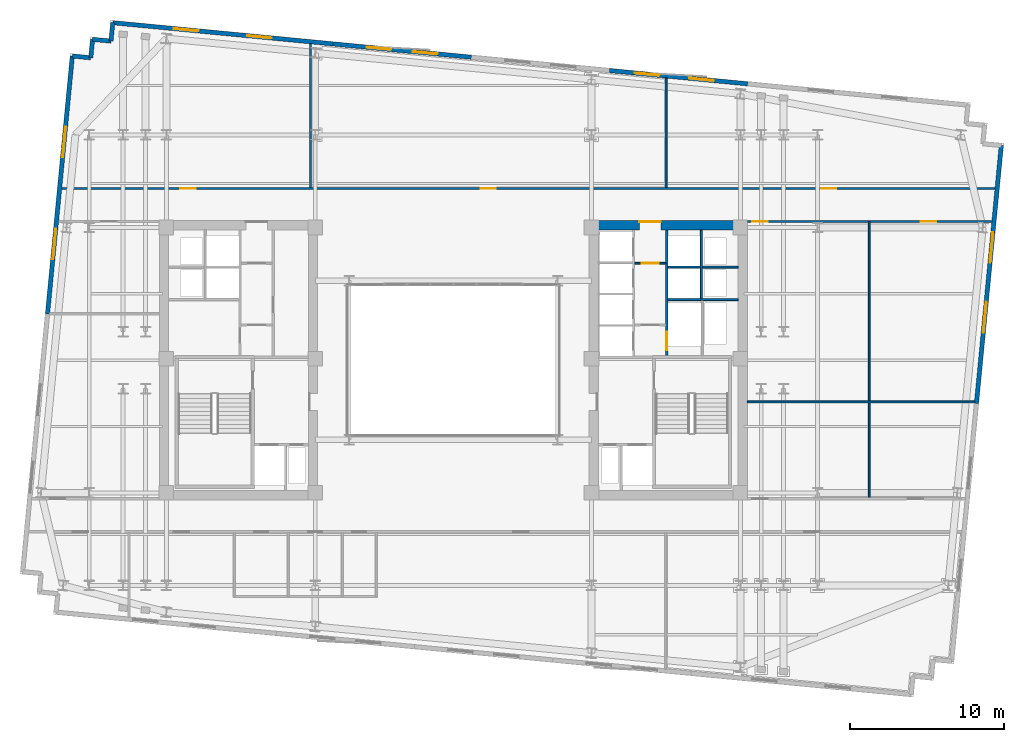
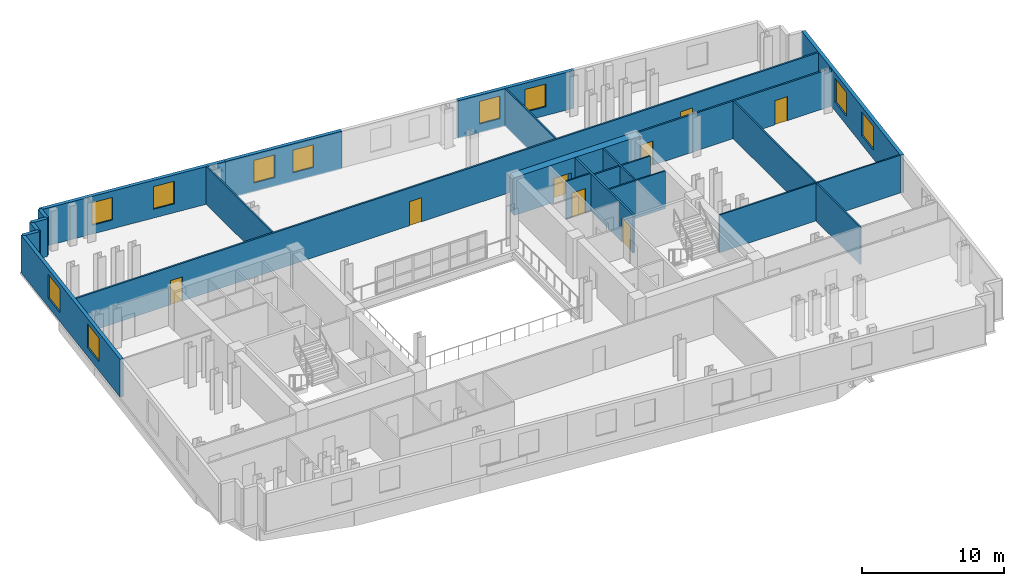
# One storey, part 7 of 11: 22 walls, 10 windows, 8 doors, 18 openings.
"""IFC4 building model written with IfcOpenShell, lengths in metres."""

from ifc_helpers import new_model, si_unit, direction, frame, frame_2d, origin, place, context, subcontext, project, spatial, rectangle, extrude, material, layer, layer_set, type_object, element, fill, save


model = new_model("IFC4")

# Units and contexts
model_context = context("Model", 3, precision=1e-05, world=origin(), true_north=direction((0.0, 1.0)))
body_context = subcontext(model_context, "Body", "Model", "MODEL_VIEW")
ifc_project = project(units=[si_unit("LENGTHUNIT", "METRE"), si_unit("AREAUNIT", "SQUARE_METRE"), si_unit("VOLUMEUNIT", "CUBIC_METRE"), si_unit("PLANEANGLEUNIT", "RADIAN"), si_unit("MASSUNIT", "GRAM", prefix="KILO")], contexts=[model_context])

# Site, building, storey
site_placement = place(None, origin())
site = spatial("IfcSite", under=ifc_project, at=site_placement, CompositionType="ELEMENT")
building_placement = place(site_placement, origin())
building = spatial("IfcBuilding", under=site, at=building_placement, Name="Velakula Bourse", CompositionType="ELEMENT")
storey_placement = place(building_placement, frame((0.0, 0.0, 160.39990234375)))
storey = spatial("IfcBuildingStorey", under=building, at=storey_placement, Name="L43", CompositionType="ELEMENT", Elevation=160.39990234375)

# Wall, opening, door
ifc_material_1 = material(Name="Concrete M70 (fck 70 MPa)", Category="concrete")
ifc_layer_1 = layer(ifc_material_1, 0.60009765625, Name="Concrete M70 (fck 70 MPa)", Category="concrete")
ifc_layer_set_1 = layer_set([ifc_layer_1], Name="Concrete M70 (fck 70 MPa)")
wall_type_1 = type_object("IfcWallType", Name="WL-CORE-600", PredefinedType="SHEAR", material=ifc_layer_set_1)
wall_1_placement = place(storey_placement, frame((8.800048828125, 8.75, 0.0), z_axis=(0.0, 0.0, 1.0), x_axis=(1.0, 0.0, 0.0)))
wall_1 = element("IfcWall", 1, at=wall_1_placement, inside=storey, type_object=wall_type_1, Name="L43 Core E Shear Wall N", PredefinedType="SHEAR", context=body_context, shape_type="SweptSolid", body=[
    extrude(rectangle(XDim=10.25, YDim=0.60009765625, at=frame_2d((5.125, 0.0))), origin(), (0.0, 0.0, 1.0), 3.27001953125),
])
opening_1_placement = place(wall_1_placement, frame((3.25, 0.0, 0.0)))
opening_1 = element("IfcOpeningElement", 2, at=opening_1_placement, cuts=wall_1, Name="Opening D-LLE", PredefinedType="OPENING", context=body_context, shape_type="SweptSolid", body=[
    extrude(rectangle(XDim=1.39990234375, YDim=2.050048828125, at=frame_2d((0.699951171875, 1.02490234375))), frame((0.0, 0.31005859375, 0.0), z_axis=(0.0, -1.0, 0.0), x_axis=(1.0, 0.0, 0.0)), (0.0, 0.0, 1.0), 0.6201171875),
])
ifc_material_2 = material(Name="Fire-rated hardwood flush architectural door", Category="wood")
door_type_1 = type_object("IfcDoorType", Name="DR-DBL-FD60-1400", OperationType="DOUBLE_DOOR_SINGLE_SWING", PredefinedType="DOOR", material=ifc_material_2)
door_1_placement = place(opening_1_placement, origin())
door_1 = element("IfcDoor", 3, at=door_1_placement, inside=storey, type_object=door_type_1, Name="L43 Core E Lift Lobby Corridor Double Door", OperationType="DOUBLE_DOOR_SINGLE_SWING", OverallHeight=2.050048828125, OverallWidth=1.39990234375, PredefinedType="DOOR", context=body_context, shape_type="SweptSolid", body=[
    extrude(rectangle(XDim=1.39990234375, YDim=2.050048828125, at=frame_2d((0.699951171875, 1.02490234375))), frame((0.0, 0.2451171875, 0.0), z_axis=(0.0, -1.0, 0.0), x_axis=(1.0, 0.0, 0.0)), (0.0, 0.0, 1.0), 0.050048828125),
])
fill(opening_1, door_1)

# Wall, openings, windows
ifc_material_3 = material(Name="Red kilned clay facing brick masonry", Category="masonry")
ifc_layer_2 = layer(ifc_material_3, 0.280029296875, Name="Red kilned clay facing brick masonry", Category="masonry")
ifc_layer_set_2 = layer_set([ifc_layer_2], Name="Red kilned clay facing brick masonry")
wall_type_2 = type_object("IfcWallType", Name="WL-EXT-BRK-280", PredefinedType="STANDARD", material=ifc_layer_set_2)
wall_2_placement = place(storey_placement, frame((-22.072509765625, 21.8701171875, 0.0), z_axis=(0.0, 0.0, 1.0), x_axis=(0.995395606285, -0.095851901334, 0.0)))
wall_2 = element("IfcWall", 4, at=wall_2_placement, inside=storey, type_object=wall_type_2, Name="L43 N Brick Spandrel Wall B1", PredefinedType="STANDARD", context=body_context, shape_type="SweptSolid", body=[
    extrude(rectangle(XDim=14.33984375, YDim=0.280029296875, at=frame_2d((7.169921875, 0.0))), origin(), (0.0, 0.0, 1.0), 3.25),
])
opening_2_placement = place(wall_2_placement, frame((3.97998046875, 0.0, 0.760009765625)))
opening_2 = element("IfcOpeningElement", 5, at=opening_2_placement, cuts=wall_2, Name="Opening W-02", PredefinedType="OPENING", context=body_context, shape_type="SweptSolid", body=[
    extrude(rectangle(XDim=1.60009765625, YDim=1.949951171875, at=frame_2d((0.800048828125, 0.97509765625))), frame((0.0, 0.14990234375, 0.0), z_axis=(0.0, -1.0, 0.0), x_axis=(1.0, 0.0, 0.0)), (0.0, 0.0, 1.0), 0.300048828125),
])
opening_3_placement = place(wall_2_placement, frame((8.760009765625, 0.0, 0.760009765625)))
opening_3 = element("IfcOpeningElement", 6, at=opening_3_placement, cuts=wall_2, Name="Opening W-02", PredefinedType="OPENING", context=body_context, shape_type="SweptSolid", body=[
    extrude(rectangle(XDim=1.60009765625, YDim=1.949951171875, at=frame_2d((0.800048828125, 0.97509765625))), frame((0.0, 0.14990234375, 0.0), z_axis=(0.0, -1.0, 0.0), x_axis=(1.0, 0.0, 0.0)), (0.0, 0.0, 1.0), 0.300048828125),
])
ifc_material_4 = material(Name="Double-glazed solar-control Low-E glass", Category="glass")
window_type_1 = type_object("IfcWindowType", Name="WIN-TWR-1600x2100", PartitioningType="SINGLE_PANEL", PredefinedType="WINDOW", material=ifc_material_4)
window_1_placement = place(opening_2_placement, origin())
window_1 = element("IfcWindow", 7, at=window_1_placement, inside=storey, type_object=window_type_1, Name="L43 Deep-Set Recessed Window 1", OverallHeight=1.949951171875, OverallWidth=1.60009765625, PartitioningType="SINGLE_PANEL", PredefinedType="WINDOW", context=body_context, shape_type="SweptSolid", body=[
    extrude(rectangle(XDim=1.60009765625, YDim=1.949951171875, at=frame_2d((0.800048828125, 0.97509765625))), frame((0.0, 0.030029296875, 0.0), z_axis=(0.0, -1.0, 0.0), x_axis=(1.0, 0.0, 0.0)), (0.0, 0.0, 1.0), 0.06005859375),
])
fill(opening_2, window_1)
window_2_placement = place(opening_3_placement, origin())
window_2 = element("IfcWindow", 8, at=window_2_placement, inside=storey, type_object=window_type_1, Name="L43 Deep-Set Recessed Window 2", OverallHeight=1.949951171875, OverallWidth=1.60009765625, PartitioningType="SINGLE_PANEL", PredefinedType="WINDOW", context=body_context, shape_type="SweptSolid", body=[
    extrude(rectangle(XDim=1.60009765625, YDim=1.949951171875, at=frame_2d((0.800048828125, 0.97509765625))), frame((0.0, 0.030029296875, 0.0), z_axis=(0.0, -1.0, 0.0), x_axis=(1.0, 0.0, 0.0)), (0.0, 0.0, 1.0), 0.06005859375),
])
fill(opening_3, window_2)

wall_3_placement = place(storey_placement, frame((-7.798583984375, 20.49560546875, 0.0), z_axis=(0.0, 0.0, 1.0), x_axis=(0.995396794462, -0.09583956164, 0.0)))
wall_3 = element("IfcWall", 9, at=wall_3_placement, inside=storey, type_object=wall_type_2, Name="L43 N Brick Spandrel Wall B2", PredefinedType="STANDARD", context=body_context, shape_type="SweptSolid", body=[
    extrude(rectangle(XDim=9.0, YDim=0.280029296875, at=frame_2d((4.5, 0.0))), origin(), (0.0, 0.0, 1.0), 3.25),
])
opening_4_placement = place(wall_3_placement, frame((2.199951171875, 0.0, 0.760009765625)))
opening_4 = element("IfcOpeningElement", 10, at=opening_4_placement, cuts=wall_3, Name="Opening W-02", PredefinedType="OPENING", context=body_context, shape_type="SweptSolid", body=[
    extrude(rectangle(XDim=1.60009765625, YDim=1.949951171875, at=frame_2d((0.800048828125, 0.97509765625))), frame((0.0, 0.14990234375, 0.0), z_axis=(0.0, -1.0, 0.0), x_axis=(1.0, 0.0, 0.0)), (0.0, 0.0, 1.0), 0.300048828125),
])
opening_5_placement = place(wall_3_placement, frame((5.199951171875, 0.0, 0.760009765625)))
opening_5 = element("IfcOpeningElement", 11, at=opening_5_placement, cuts=wall_3, Name="Opening W-02", PredefinedType="OPENING", context=body_context, shape_type="SweptSolid", body=[
    extrude(rectangle(XDim=1.60009765625, YDim=1.949951171875, at=frame_2d((0.800048828125, 0.97509765625))), frame((0.0, 0.14990234375, 0.0), z_axis=(0.0, -1.0, 0.0), x_axis=(1.0, 0.0, 0.0)), (0.0, 0.0, 1.0), 0.300048828125),
])
window_3_placement = place(opening_4_placement, origin())
window_3 = element("IfcWindow", 12, at=window_3_placement, inside=storey, type_object=window_type_1, Name="L43 Deep-Set Recessed Window 1", OverallHeight=1.949951171875, OverallWidth=1.60009765625, PartitioningType="SINGLE_PANEL", PredefinedType="WINDOW", context=body_context, shape_type="SweptSolid", body=[
    extrude(rectangle(XDim=1.60009765625, YDim=1.949951171875, at=frame_2d((0.800048828125, 0.97509765625))), frame((0.0, 0.030029296875, 0.0), z_axis=(0.0, -1.0, 0.0), x_axis=(1.0, 0.0, 0.0)), (0.0, 0.0, 1.0), 0.06005859375),
])
fill(opening_4, window_3)
window_4_placement = place(opening_5_placement, origin())
window_4 = element("IfcWindow", 13, at=window_4_placement, inside=storey, type_object=window_type_1, Name="L43 Deep-Set Recessed Window 2", OverallHeight=1.949951171875, OverallWidth=1.60009765625, PartitioningType="SINGLE_PANEL", PredefinedType="WINDOW", context=body_context, shape_type="SweptSolid", body=[
    extrude(rectangle(XDim=1.60009765625, YDim=1.949951171875, at=frame_2d((0.800048828125, 0.97509765625))), frame((0.0, 0.030029296875, 0.0), z_axis=(0.0, -1.0, 0.0), x_axis=(1.0, 0.0, 0.0)), (0.0, 0.0, 1.0), 0.06005859375),
])
fill(opening_5, window_4)

wall_4_placement = place(storey_placement, frame((10.11865234375, 18.770263671875, 0.0), z_axis=(0.0, 0.0, 1.0), x_axis=(0.995396794462, -0.09583956164, 0.0)))
wall_4 = element("IfcWall", 14, at=wall_4_placement, inside=storey, type_object=wall_type_2, Name="L43 N Brick Spandrel Wall B4", PredefinedType="STANDARD", context=body_context, shape_type="SweptSolid", body=[
    extrude(rectangle(XDim=9.0, YDim=0.280029296875, at=frame_2d((4.5, 0.0))), origin(), (0.0, 0.0, 1.0), 3.25),
])
opening_6_placement = place(wall_4_placement, frame((1.64990234375, 0.0, 0.760009765625)))
opening_6 = element("IfcOpeningElement", 15, at=opening_6_placement, cuts=wall_4, Name="Opening W-02", PredefinedType="OPENING", context=body_context, shape_type="SweptSolid", body=[
    extrude(rectangle(XDim=1.60009765625, YDim=1.949951171875, at=frame_2d((0.800048828125, 0.97509765625))), frame((0.0, 0.14990234375, 0.0), z_axis=(0.0, -1.0, 0.0), x_axis=(1.0, 0.0, 0.0)), (0.0, 0.0, 1.0), 0.300048828125),
])
opening_7_placement = place(wall_4_placement, frame((5.199951171875, 0.0, 0.760009765625)))
opening_7 = element("IfcOpeningElement", 16, at=opening_7_placement, cuts=wall_4, Name="Opening W-02", PredefinedType="OPENING", context=body_context, shape_type="SweptSolid", body=[
    extrude(rectangle(XDim=1.60009765625, YDim=1.949951171875, at=frame_2d((0.800048828125, 0.97509765625))), frame((0.0, 0.14990234375, 0.0), z_axis=(0.0, -1.0, 0.0), x_axis=(1.0, 0.0, 0.0)), (0.0, 0.0, 1.0), 0.300048828125),
])
window_5_placement = place(opening_6_placement, origin())
window_5 = element("IfcWindow", 17, at=window_5_placement, inside=storey, type_object=window_type_1, Name="L43 Deep-Set Recessed Window 1", OverallHeight=1.949951171875, OverallWidth=1.60009765625, PartitioningType="SINGLE_PANEL", PredefinedType="WINDOW", context=body_context, shape_type="SweptSolid", body=[
    extrude(rectangle(XDim=1.60009765625, YDim=1.949951171875, at=frame_2d((0.800048828125, 0.97509765625))), frame((0.0, 0.030029296875, 0.0), z_axis=(0.0, -1.0, 0.0), x_axis=(1.0, 0.0, 0.0)), (0.0, 0.0, 1.0), 0.06005859375),
])
fill(opening_6, window_5)
window_6_placement = place(opening_7_placement, origin())
window_6 = element("IfcWindow", 18, at=window_6_placement, inside=storey, type_object=window_type_1, Name="L43 Deep-Set Recessed Window 2", OverallHeight=1.949951171875, OverallWidth=1.60009765625, PartitioningType="SINGLE_PANEL", PredefinedType="WINDOW", context=body_context, shape_type="SweptSolid", body=[
    extrude(rectangle(XDim=1.60009765625, YDim=1.949951171875, at=frame_2d((0.800048828125, 0.97509765625))), frame((0.0, 0.030029296875, 0.0), z_axis=(0.0, -1.0, 0.0), x_axis=(1.0, 0.0, 0.0)), (0.0, 0.0, 1.0), 0.06005859375),
])
fill(opening_7, window_6)

wall_5_placement = place(storey_placement, frame((-26.30078125, 2.998291015625, 0.0), z_axis=(0.0, 0.0, 1.0), x_axis=(0.095837640115, 0.99539697947, 0.0)))
wall_5 = element("IfcWall", 19, at=wall_5_placement, inside=storey, type_object=wall_type_2, Name="L43 W Brick End Wall W2", PredefinedType="STANDARD", context=body_context, shape_type="SweptSolid", body=[
    extrude(rectangle(XDim=16.790283203125, YDim=0.280029296875, at=frame_2d((8.39501953125, 0.0))), origin(), (0.0, 0.0, 1.0), 3.25),
])
opening_8_placement = place(wall_5_placement, frame((3.546630859375, 0.0, 0.760009765625)))
opening_8 = element("IfcOpeningElement", 20, at=opening_8_placement, cuts=wall_5, Name="Opening W-05", PredefinedType="OPENING", context=body_context, shape_type="SweptSolid", body=[
    extrude(rectangle(XDim=2.0, YDim=2.050048828125, at=frame_2d((1.0, 1.02490234375))), frame((0.0, 0.14990234375, 0.0), z_axis=(0.0, -1.0, 0.0), x_axis=(1.0, 0.0, 0.0)), (0.0, 0.0, 1.0), 0.300048828125),
])
opening_9_placement = place(wall_5_placement, frame((10.193359375, 0.0, 0.760009765625)))
opening_9 = element("IfcOpeningElement", 21, at=opening_9_placement, cuts=wall_5, Name="Opening W-05", PredefinedType="OPENING", context=body_context, shape_type="SweptSolid", body=[
    extrude(rectangle(XDim=2.0, YDim=2.050048828125, at=frame_2d((1.0, 1.02490234375))), frame((0.0, 0.14990234375, 0.0), z_axis=(0.0, -1.0, 0.0), x_axis=(1.0, 0.0, 0.0)), (0.0, 0.0, 1.0), 0.300048828125),
])
window_type_2 = type_object("IfcWindowType", Name="WIN-TWR-2000x2200", PartitioningType="DOUBLE_PANEL_VERTICAL", PredefinedType="WINDOW", material=ifc_material_4)
window_7_placement = place(opening_8_placement, origin())
window_7 = element("IfcWindow", 22, at=window_7_placement, inside=storey, type_object=window_type_2, Name="L43 Deep-Set Recessed Window 1", OverallHeight=2.050048828125, OverallWidth=2.0, PartitioningType="DOUBLE_PANEL_VERTICAL", PredefinedType="WINDOW", context=body_context, shape_type="SweptSolid", body=[
    extrude(rectangle(XDim=2.0, YDim=2.050048828125, at=frame_2d((1.0, 1.02490234375))), frame((0.0, 0.030029296875, 0.0), z_axis=(0.0, -1.0, 0.0), x_axis=(1.0, 0.0, 0.0)), (0.0, 0.0, 1.0), 0.06005859375),
])
fill(opening_8, window_7)
window_8_placement = place(opening_9_placement, origin())
window_8 = element("IfcWindow", 23, at=window_8_placement, inside=storey, type_object=window_type_2, Name="L43 Deep-Set Recessed Window 2", OverallHeight=2.050048828125, OverallWidth=2.0, PartitioningType="DOUBLE_PANEL_VERTICAL", PredefinedType="WINDOW", context=body_context, shape_type="SweptSolid", body=[
    extrude(rectangle(XDim=2.0, YDim=2.050048828125, at=frame_2d((1.0, 1.02490234375))), frame((0.0, 0.030029296875, 0.0), z_axis=(0.0, -1.0, 0.0), x_axis=(1.0, 0.0, 0.0)), (0.0, 0.0, 1.0), 0.06005859375),
])
fill(opening_9, window_8)

wall_6_placement = place(storey_placement, frame((35.510009765625, 13.914306640625, 0.0), z_axis=(0.0, 0.0, 1.0), x_axis=(-0.095839027265, -0.995396845913, 0.0)))
wall_6 = element("IfcWall", 24, at=wall_6_placement, inside=storey, type_object=wall_type_2, Name="L43 E Brick End Wall W2", PredefinedType="STANDARD", context=body_context, shape_type="SweptSolid", body=[
    extrude(rectangle(XDim=16.7900390625, YDim=0.280029296875, at=frame_2d((8.39501953125, 0.0))), origin(), (0.0, 0.0, 1.0), 3.25),
])
opening_10_placement = place(wall_6_placement, frame((5.646728515625, 0.0, 0.760009765625)))
opening_10 = element("IfcOpeningElement", 25, at=opening_10_placement, cuts=wall_6, Name="Opening W-05", PredefinedType="OPENING", context=body_context, shape_type="SweptSolid", body=[
    extrude(rectangle(XDim=2.0, YDim=2.050048828125, at=frame_2d((1.0, 1.02490234375))), frame((0.0, 0.14990234375, 0.0), z_axis=(0.0, -1.0, 0.0), x_axis=(1.0, 0.0, 0.0)), (0.0, 0.0, 1.0), 0.300048828125),
])
opening_11_placement = place(wall_6_placement, frame((10.193359375, 0.0, 0.760009765625)))
opening_11 = element("IfcOpeningElement", 26, at=opening_11_placement, cuts=wall_6, Name="Opening W-05", PredefinedType="OPENING", context=body_context, shape_type="SweptSolid", body=[
    extrude(rectangle(XDim=2.0, YDim=2.050048828125, at=frame_2d((1.0, 1.02490234375))), frame((0.0, 0.14990234375, 0.0), z_axis=(0.0, -1.0, 0.0), x_axis=(1.0, 0.0, 0.0)), (0.0, 0.0, 1.0), 0.300048828125),
])
window_9_placement = place(opening_10_placement, origin())
window_9 = element("IfcWindow", 27, at=window_9_placement, inside=storey, type_object=window_type_2, Name="L43 Deep-Set Recessed Window 1", OverallHeight=2.050048828125, OverallWidth=2.0, PartitioningType="DOUBLE_PANEL_VERTICAL", PredefinedType="WINDOW", context=body_context, shape_type="SweptSolid", body=[
    extrude(rectangle(XDim=2.0, YDim=2.050048828125, at=frame_2d((1.0, 1.02490234375))), frame((0.0, 0.030029296875, 0.0), z_axis=(0.0, -1.0, 0.0), x_axis=(1.0, 0.0, 0.0)), (0.0, 0.0, 1.0), 0.06005859375),
])
fill(opening_10, window_9)
window_10_placement = place(opening_11_placement, origin())
window_10 = element("IfcWindow", 28, at=window_10_placement, inside=storey, type_object=window_type_2, Name="L43 Deep-Set Recessed Window 2", OverallHeight=2.050048828125, OverallWidth=2.0, PartitioningType="DOUBLE_PANEL_VERTICAL", PredefinedType="WINDOW", context=body_context, shape_type="SweptSolid", body=[
    extrude(rectangle(XDim=2.0, YDim=2.050048828125, at=frame_2d((1.0, 1.02490234375))), frame((0.0, 0.030029296875, 0.0), z_axis=(0.0, -1.0, 0.0), x_axis=(1.0, 0.0, 0.0)), (0.0, 0.0, 1.0), 0.06005859375),
])
fill(opening_11, window_10)

# Walls
for number, where, z_axis, x_axis, name in (
    (29, (-22.072509765625, 21.8701171875, 0.0), (0.0, 0.0, 1.0), (-0.095817067274, -0.995398960025, 0.0), "L43 Serrated Corner Brick Wall NW-1"),
    (30, (-22.1875, 20.675537109375, 0.0), (0.0, 0.0, 1.0), (-0.995398960025, 0.095817067274, 0.0), "L43 Serrated Corner Brick Wall NW-2"),
    (31, (-23.382080078125, 20.79052734375, 0.0), (0.0, 0.0, 1.0), (-0.095817067274, -0.995398960025, 0.0), "L43 Serrated Corner Brick Wall NW-3"),
    (32, (-23.4970703125, 19.595947265625, 0.0), (0.0, 0.0, 1.0), (-0.995379537303, 0.096018626938, 0.0), "L43 Serrated Corner Brick Wall NW-4"),
):
    element("IfcWall", number, at=place(storey_placement, frame(where, z_axis=z_axis, x_axis=x_axis)), inside=storey, type_object=wall_type_2, Name=name, PredefinedType="STANDARD", context=body_context, shape_type="SweptSolid", body=[
        extrude(rectangle(XDim=1.2001953125, YDim=0.280029296875, at=frame_2d((0.60009765625, 0.0))), origin(), (0.0, 0.0, 1.0), 3.25),
    ])

# Wall, opening, door
ifc_material_5 = material(Name="Fire-rated double-layer gypsum drywall partition", Category="gypsum")
ifc_layer_3 = layer(ifc_material_5, 0.1201171875, Name="Fire-rated double-layer gypsum drywall partition", Category="gypsum")
ifc_layer_set_3 = layer_set([ifc_layer_3], Name="Fire-rated double-layer gypsum drywall partition")
wall_type_3 = type_object("IfcWallType", Name="WL-PART-120", PredefinedType="STANDARD", material=ifc_layer_set_3)
wall_7_placement = place(storey_placement, frame((11.75, 6.280029296875, 0.0), z_axis=(0.0, 0.0, 1.0), x_axis=(1.0, 0.0, 0.0)))
wall_7 = element("IfcWall", 33, at=wall_7_placement, inside=storey, type_object=wall_type_3, Name="L43 Interior Partition WL-CRE-L43-LL-K3B", PredefinedType="STANDARD", context=body_context, shape_type="SweptSolid", body=[
    extrude(rectangle(XDim=2.0, YDim=0.1201171875, at=frame_2d((1.0, 0.0))), origin(), (0.0, 0.0, 1.0), 3.25),
])
opening_12_placement = place(wall_7_placement, frame((0.449951171875, 0.0, 0.0)))
opening_12 = element("IfcOpeningElement", 34, at=opening_12_placement, cuts=wall_7, Name="Opening D-LK3", PredefinedType="OPENING", context=body_context, shape_type="SweptSolid", body=[
    extrude(rectangle(XDim=1.10009765625, YDim=2.10009765625, at=frame_2d((0.550048828125, 1.050048828125))), frame((0.0, 0.070068359375, 0.0), z_axis=(0.0, -1.0, 0.0), x_axis=(1.0, 0.0, 0.0)), (0.0, 0.0, 1.0), 0.14013671875),
])
door_type_2 = type_object("IfcDoorType", Name="DR-FD60-1100x2100", OperationType="NOTDEFINED", PredefinedType="DOOR", material=ifc_material_2)
door_2_placement = place(opening_12_placement, origin())
door_2 = element("IfcDoor", 35, at=door_2_placement, inside=storey, type_object=door_type_2, Name="L43 Core E Lift Lobby Vestibule Door B", OperationType="SINGLE_SWING_LEFT", OverallHeight=2.10009765625, OverallWidth=1.10009765625, PredefinedType="DOOR", context=body_context, shape_type="SweptSolid", body=[
    extrude(rectangle(XDim=1.10009765625, YDim=2.10009765625, at=frame_2d((0.550048828125, 1.050048828125))), frame((0.0, 0.02490234375, 0.0), z_axis=(0.0, -1.0, 0.0), x_axis=(1.0, 0.0, 0.0)), (0.0, 0.0, 1.0), 0.050048828125),
])
fill(opening_12, door_2)

# Walls
wall_8_placement = place(storey_placement, frame((13.89990234375, 3.919921875, 0.0), z_axis=(0.0, 0.0, 1.0), x_axis=(1.0, 0.0, 0.0)))
element("IfcWall", 36, at=wall_8_placement, inside=storey, type_object=wall_type_3, Name="L43 Interior Partition WL-CRE-L43-HI-S", PredefinedType="STANDARD", context=body_context, shape_type="SweptSolid", body=[
    extrude(rectangle(XDim=4.550048828125, YDim=0.1201171875, at=frame_2d((2.27490234375, 0.0))), origin(), (0.0, 0.0, 1.0), 3.25),
])
wall_9_placement = place(storey_placement, frame((16.14990234375, 6.030029296875, 0.0), z_axis=(0.0, 0.0, 1.0), x_axis=(1.0, 0.0, 0.0)))
element("IfcWall", 37, at=wall_9_placement, inside=storey, type_object=wall_type_3, Name="L43 Interior Partition WL-CRE-L43-RIS-MID", PredefinedType="STANDARD", context=body_context, shape_type="SweptSolid", body=[
    extrude(rectangle(XDim=2.300048828125, YDim=0.1201171875, at=frame_2d((1.14990234375, 0.0))), origin(), (0.0, 0.0, 1.0), 3.25),
])
wall_10_placement = place(storey_placement, frame((16.074951171875, 3.97998046875, 0.0), z_axis=(0.0, 0.0, 1.0), x_axis=(0.0, 1.0, 0.0)))
element("IfcWall", 38, at=wall_10_placement, inside=storey, type_object=wall_type_3, Name="L43 Interior Partition WL-CRE-L43-RIS-F", PredefinedType="STANDARD", context=body_context, shape_type="SweptSolid", body=[
    extrude(rectangle(XDim=4.469970703125, YDim=0.1201171875, at=frame_2d((2.23486328125, 0.0))), origin(), (0.0, 0.0, 1.0), 3.25),
])
wall_11_placement = place(storey_placement, frame((13.89990234375, 6.030029296875, 0.0), z_axis=(0.0, 0.0, 1.0), x_axis=(1.0, 0.0, 0.0)))
element("IfcWall", 39, at=wall_11_placement, inside=storey, type_object=wall_type_3, Name="L43 Interior Partition WL-CRE-L43-HI-DIV", PredefinedType="STANDARD", context=body_context, shape_type="SweptSolid", body=[
    extrude(rectangle(XDim=2.10009765625, YDim=0.1201171875, at=frame_2d((1.050048828125, 0.0))), origin(), (0.0, 0.0, 1.0), 3.25),
])
wall_12_placement = place(storey_placement, frame((-9.260009765625, 11.18994140625, 0.0), z_axis=(0.0, 0.0, 1.0), x_axis=(0.0, 1.0, 0.0)))
element("IfcWall", 40, at=wall_12_placement, inside=storey, type_object=wall_type_3, Name="L43 Interior Partition WL-INT-L43-N-D1", PredefinedType="STANDARD", context=body_context, shape_type="SweptSolid", body=[
    extrude(rectangle(XDim=9.32568359375, YDim=0.1201171875, at=frame_2d((4.662841796875, 0.0))), origin(), (0.0, 0.0, 1.0), 3.25),
])
wall_13_placement = place(storey_placement, frame((13.784912109375, 11.18994140625, 0.0), z_axis=(0.0, 0.0, 1.0), x_axis=(0.0, 1.0, 0.0)))
element("IfcWall", 41, at=wall_13_placement, inside=storey, type_object=wall_type_3, Name="L43 Interior Partition WL-INT-L43-N-D2", PredefinedType="STANDARD", context=body_context, shape_type="SweptSolid", body=[
    extrude(rectangle(XDim=7.10693359375, YDim=0.1201171875, at=frame_2d((3.553466796875, 0.0))), origin(), (0.0, 0.0, 1.0), 3.25),
])
wall_14_placement = place(storey_placement, frame((19.050048828125, -2.699951171875, 0.0), z_axis=(0.0, 0.0, 1.0), x_axis=(1.0, 0.0, 0.0)))
element("IfcWall", 42, at=wall_14_placement, inside=storey, type_object=wall_type_3, Name="L43 Interior Partition WL-INT-L43-E-H", PredefinedType="STANDARD", context=body_context, shape_type="SweptSolid", body=[
    extrude(rectangle(XDim=14.73974609375, YDim=0.1201171875, at=frame_2d((7.369873046875, 0.0))), origin(), (0.0, 0.0, 1.0), 3.25),
])
wall_15_placement = place(storey_placement, frame((26.951904296875, -8.97998046875, 0.0), z_axis=(0.0, 0.0, 1.0), x_axis=(0.0, 1.0, 0.0)))
element("IfcWall", 43, at=wall_15_placement, inside=storey, type_object=wall_type_3, Name="L43 Interior Partition WL-INT-L43-E-V1", PredefinedType="STANDARD", context=body_context, shape_type="SweptSolid", body=[
    extrude(rectangle(XDim=17.9599609375, YDim=0.1201171875, at=frame_2d((8.97998046875, 0.0))), origin(), (0.0, 0.0, 1.0), 3.25),
])

# Wall, openings, doors
ifc_layer_4 = layer(ifc_material_5, 0.139892578125, Name="Fire-rated double-layer gypsum drywall partition", Category="gypsum")
ifc_layer_set_4 = layer_set([ifc_layer_4], Name="Fire-rated double-layer gypsum drywall partition")
wall_type_4 = type_object("IfcWallType", Name="WL-PART-140", PredefinedType="STANDARD", material=ifc_layer_set_4)
wall_16_placement = place(storey_placement, frame((-25.398193359375, 11.1201171875, 0.0), z_axis=(0.0, 0.0, 1.0), x_axis=(1.0, 0.0, 0.0)))
wall_16 = element("IfcWall", 44, at=wall_16_placement, inside=storey, type_object=wall_type_4, Name="L43 Interior Partition WL-INT-L43-N-CORR", PredefinedType="STANDARD", context=body_context, shape_type="SweptSolid", body=[
    extrude(rectangle(XDim=60.5185546875, YDim=0.139892578125, at=frame_2d((30.25927734375, 0.0))), origin(), (0.0, 0.0, 1.0), 3.25),
])
opening_13_placement = place(wall_16_placement, frame((7.695068359375, 0.0, 0.0)))
opening_13 = element("IfcOpeningElement", 45, at=opening_13_placement, cuts=wall_16, Name="Opening D-OF1", PredefinedType="OPENING", context=body_context, shape_type="SweptSolid", body=[
    extrude(rectangle(XDim=1.0, YDim=2.080078125, at=frame_2d((0.5, 1.0400390625))), frame((0.0, 0.079833984375, 0.0), z_axis=(0.0, -1.0, 0.0), x_axis=(1.0, 0.0, 0.0)), (0.0, 0.0, 1.0), 0.159912109375),
])
opening_14_placement = place(wall_16_placement, frame((27.16064453125, 0.0, 0.0)))
opening_14 = element("IfcOpeningElement", 46, at=opening_14_placement, cuts=wall_16, Name="Opening D-OF1", PredefinedType="OPENING", context=body_context, shape_type="SweptSolid", body=[
    extrude(rectangle(XDim=1.0, YDim=2.080078125, at=frame_2d((0.5, 1.0400390625))), frame((0.0, 0.079833984375, 0.0), z_axis=(0.0, -1.0, 0.0), x_axis=(1.0, 0.0, 0.0)), (0.0, 0.0, 1.0), 0.159912109375),
])
opening_15_placement = place(wall_16_placement, frame((49.224853515625, 0.0, 0.0)))
opening_15 = element("IfcOpeningElement", 47, at=opening_15_placement, cuts=wall_16, Name="Opening D-OF1", PredefinedType="OPENING", context=body_context, shape_type="SweptSolid", body=[
    extrude(rectangle(XDim=1.0, YDim=2.080078125, at=frame_2d((0.5, 1.0400390625))), frame((0.0, 0.079833984375, 0.0), z_axis=(0.0, -1.0, 0.0), x_axis=(1.0, 0.0, 0.0)), (0.0, 0.0, 1.0), 0.159912109375),
])
door_type_3 = type_object("IfcDoorType", Name="DR-OFF-1000", OperationType="NOTDEFINED", PredefinedType="DOOR", material=ifc_material_2)
door_3_placement = place(opening_13_placement, origin())
door_3 = element("IfcDoor", 48, at=door_3_placement, inside=storey, type_object=door_type_3, Name="L43 Maritime Freight Exchange Workspace Door", OperationType="SINGLE_SWING_LEFT", OverallHeight=2.080078125, OverallWidth=1.0, PredefinedType="DOOR", context=body_context, shape_type="SweptSolid", body=[
    extrude(rectangle(XDim=1.0, YDim=2.080078125, at=frame_2d((0.5, 1.0400390625))), frame((0.0, 0.02490234375, 0.0), z_axis=(0.0, -1.0, 0.0), x_axis=(1.0, 0.0, 0.0)), (0.0, 0.0, 1.0), 0.050048828125),
])
fill(opening_13, door_3)
door_4_placement = place(opening_14_placement, origin())
door_4 = element("IfcDoor", 49, at=door_4_placement, inside=storey, type_object=door_type_3, Name="L43 Yield Curve Seminar Room Door", OperationType="SINGLE_SWING_RIGHT", OverallHeight=2.080078125, OverallWidth=1.0, PredefinedType="DOOR", context=body_context, shape_type="SweptSolid", body=[
    extrude(rectangle(XDim=1.0, YDim=2.080078125, at=frame_2d((0.5, 1.0400390625))), frame((0.0, 0.02490234375, 0.0), z_axis=(0.0, -1.0, 0.0), x_axis=(1.0, 0.0, 0.0)), (0.0, 0.0, 1.0), 0.050048828125),
])
fill(opening_14, door_4)
door_5_placement = place(opening_15_placement, origin())
door_5 = element("IfcDoor", 50, at=door_5_placement, inside=storey, type_object=door_type_3, Name="L43 Traders Pantry Door", OperationType="SINGLE_SWING_LEFT", OverallHeight=2.080078125, OverallWidth=1.0, PredefinedType="DOOR", context=body_context, shape_type="SweptSolid", body=[
    extrude(rectangle(XDim=1.0, YDim=2.080078125, at=frame_2d((0.5, 1.0400390625))), frame((0.0, 0.02490234375, 0.0), z_axis=(0.0, -1.0, 0.0), x_axis=(1.0, 0.0, 0.0)), (0.0, 0.0, 1.0), 0.050048828125),
])
fill(opening_15, door_5)

wall_17_placement = place(storey_placement, frame((19.050048828125, 8.97998046875, 0.0), z_axis=(0.0, 0.0, 1.0), x_axis=(1.0, 0.0, 0.0)))
wall_17 = element("IfcWall", 51, at=wall_17_placement, inside=storey, type_object=wall_type_4, Name="L43 Interior Partition WL-INT-L43-E-NC", PredefinedType="STANDARD", context=body_context, shape_type="SweptSolid", body=[
    extrude(rectangle(XDim=15.8642578125, YDim=0.139892578125, at=frame_2d((7.93212890625, 0.0))), origin(), (0.0, 0.0, 1.0), 3.25),
])
opening_16_placement = place(wall_17_placement, frame((0.320068359375, 0.0, 0.0)))
opening_16 = element("IfcOpeningElement", 52, at=opening_16_placement, cuts=wall_17, Name="Opening D-OF1", PredefinedType="OPENING", context=body_context, shape_type="SweptSolid", body=[
    extrude(rectangle(XDim=1.0, YDim=2.080078125, at=frame_2d((0.5, 1.0400390625))), frame((0.0, 0.079833984375, 0.0), z_axis=(0.0, -1.0, 0.0), x_axis=(1.0, 0.0, 0.0)), (0.0, 0.0, 1.0), 0.159912109375),
])
opening_17_placement = place(wall_17_placement, frame((11.253173828125, 0.0, 0.0)))
opening_17 = element("IfcOpeningElement", 53, at=opening_17_placement, cuts=wall_17, Name="Opening D-OF1", PredefinedType="OPENING", context=body_context, shape_type="SweptSolid", body=[
    extrude(rectangle(XDim=1.0, YDim=2.080078125, at=frame_2d((0.5, 1.0400390625))), frame((0.0, 0.079833984375, 0.0), z_axis=(0.0, -1.0, 0.0), x_axis=(1.0, 0.0, 0.0)), (0.0, 0.0, 1.0), 0.159912109375),
])
door_6_placement = place(opening_16_placement, origin())
door_6 = element("IfcDoor", 54, at=door_6_placement, inside=storey, type_object=door_type_3, Name="L43 General Counsel Office Door", OperationType="SINGLE_SWING_LEFT", OverallHeight=2.080078125, OverallWidth=1.0, PredefinedType="DOOR", context=body_context, shape_type="SweptSolid", body=[
    extrude(rectangle(XDim=1.0, YDim=2.080078125, at=frame_2d((0.5, 1.0400390625))), frame((0.0, 0.02490234375, 0.0), z_axis=(0.0, -1.0, 0.0), x_axis=(1.0, 0.0, 0.0)), (0.0, 0.0, 1.0), 0.050048828125),
])
fill(opening_16, door_6)
door_7_placement = place(opening_17_placement, origin())
door_7 = element("IfcDoor", 55, at=door_7_placement, inside=storey, type_object=door_type_3, Name="L43 Risk Review Boardroom Door", OperationType="SINGLE_SWING_RIGHT", OverallHeight=2.080078125, OverallWidth=1.0, PredefinedType="DOOR", context=body_context, shape_type="SweptSolid", body=[
    extrude(rectangle(XDim=1.0, YDim=2.080078125, at=frame_2d((0.5, 1.0400390625))), frame((0.0, 0.02490234375, 0.0), z_axis=(0.0, -1.0, 0.0), x_axis=(1.0, 0.0, 0.0)), (0.0, 0.0, 1.0), 0.050048828125),
])
fill(opening_17, door_7)

# Wall, opening, door
ifc_material_6 = material(Name="Autoclaved aerated concrete blockwork masonry", Category="masonry")
ifc_layer_5 = layer(ifc_material_6, 0.14990234375, Name="Autoclaved aerated concrete blockwork masonry", Category="masonry")
ifc_layer_set_5 = layer_set([ifc_layer_5], Name="Autoclaved aerated concrete blockwork masonry")
wall_type_5 = type_object("IfcWallType", Name="WL-SHAFT-150", PredefinedType="STANDARD", material=ifc_layer_set_5)
wall_18_placement = place(storey_placement, frame((13.824951171875, 0.27001953125, 0.0), z_axis=(0.0, 0.0, 1.0), x_axis=(0.0, 1.0, 0.0)))
wall_18 = element("IfcWall", 56, at=wall_18_placement, inside=storey, type_object=wall_type_5, Name="L43 Interior Partition WL-CRE-L43-OUT-F", PredefinedType="STANDARD", context=body_context, shape_type="SweptSolid", body=[
    extrude(rectangle(XDim=8.179931640625, YDim=0.14990234375, at=frame_2d((4.08984375, 0.0))), origin(), (0.0, 0.0, 1.0), 3.25),
])
opening_18_placement = place(wall_18_placement, frame((0.3798828125, 0.0, 0.0)))
opening_18 = element("IfcOpeningElement", 57, at=opening_18_placement, cuts=wall_18, Name="Opening LD-SVL1", PredefinedType="OPENING", context=body_context, shape_type="SweptSolid", body=[
    extrude(rectangle(XDim=1.199951171875, YDim=2.10009765625, at=frame_2d((0.60009765625, 1.050048828125))), frame((0.0, 0.0849609375, 0.0), z_axis=(0.0, -1.0, 0.0), x_axis=(1.0, 0.0, 0.0)), (0.0, 0.0, 1.0), 0.169921875),
])
ifc_material_7 = material(Name="Brushed grade 316 stainless steel", Category="steel")
door_type_4 = type_object("IfcDoorType", Name="DR-SLIDE-LD-1200", OperationType="DOUBLE_DOOR_SLIDING", PredefinedType="DOOR", material=ifc_material_7)
door_8_placement = place(opening_18_placement, origin())
door_8 = element("IfcDoor", 58, at=door_8_placement, inside=storey, type_object=door_type_4, Name="L43 Service Lift SVL-1 Sliding Landing Door", OperationType="DOUBLE_DOOR_SLIDING", OverallHeight=2.10009765625, OverallWidth=1.199951171875, PredefinedType="DOOR", context=body_context, shape_type="SweptSolid", body=[
    extrude(rectangle(XDim=1.199951171875, YDim=2.10009765625, at=frame_2d((0.60009765625, 1.050048828125))), frame((0.0, 0.02490234375, 0.0), z_axis=(0.0, -1.0, 0.0), x_axis=(1.0, 0.0, 0.0)), (0.0, 0.0, 1.0), 0.050048828125),
])
fill(opening_18, door_8)

save(model, "model.ifc")
